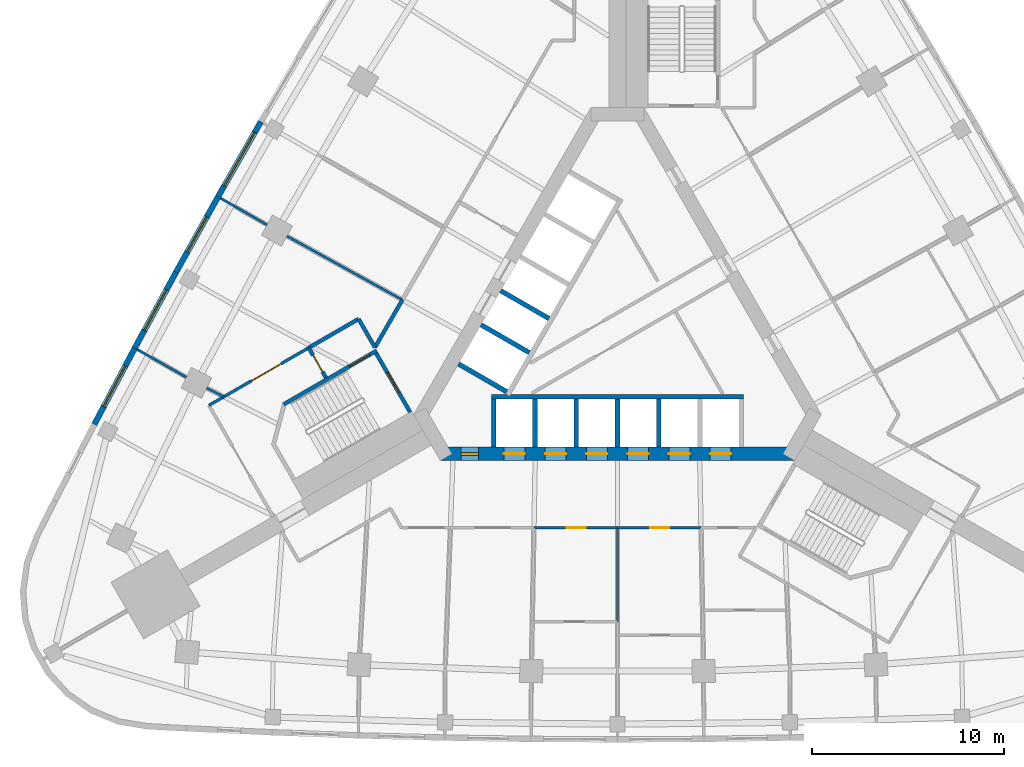
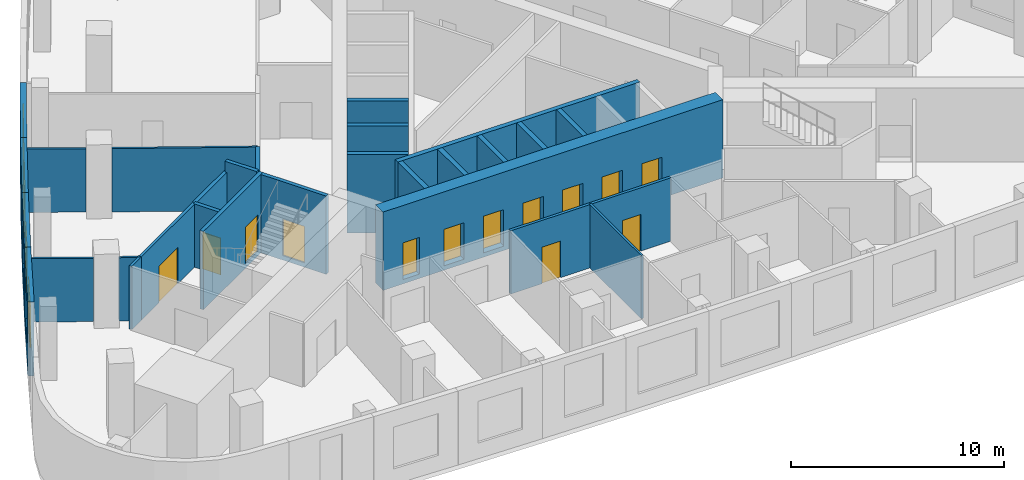
# One storey, part 5 of 11: 29 walls, 13 doors, 4 windows, 17 openings.
"""IFC4 building model written with IfcOpenShell, lengths in metres."""

from ifc_helpers import new_model, si_unit, direction, frame, frame_2d, origin, place, context, subcontext, project, spatial, rectangle, extrude, material, layer, layer_set, type_object, element, fill, save


model = new_model("IFC4")

# Units and contexts
model_context = context("Model", 3, precision=1e-05, world=origin(), true_north=direction((0.0, 1.0)))
body_context = subcontext(model_context, "Body", "Model", "MODEL_VIEW")
ifc_project = project(units=[si_unit("LENGTHUNIT", "METRE"), si_unit("AREAUNIT", "SQUARE_METRE"), si_unit("VOLUMEUNIT", "CUBIC_METRE"), si_unit("PLANEANGLEUNIT", "RADIAN"), si_unit("MASSUNIT", "GRAM", prefix="KILO")], contexts=[model_context])

# Site, building, storey
site_placement = place(None, origin())
site = spatial("IfcSite", under=ifc_project, at=site_placement, CompositionType="ELEMENT")
building_placement = place(site_placement, origin())
building = spatial("IfcBuilding", under=site, at=building_placement, Name="Noor Cloister Tower", CompositionType="ELEMENT")
storey_placement = place(building_placement, frame((0.0, 0.0, 15.0)))
storey = spatial("IfcBuildingStorey", under=building, at=storey_placement, Name="L03", CompositionType="ELEMENT", Elevation=15.0)

# Wall, openings, doors
ifc_material_1 = material(Name="Concrete C80/95", Category="concrete")
ifc_layer_1 = layer(ifc_material_1, 0.699951171875)
ifc_layer_set_1 = layer_set([ifc_layer_1], Name="Core wall 700 C80/95")
wall_type_1 = type_object("IfcWallType", Name="Core wall 700 C80/95", PredefinedType="SHEAR", material=ifc_layer_set_1)
wall_1_placement = place(storey_placement, frame((-9.228759765625, -6.578125, -0.25), z_axis=(0.0, 0.0, 1.0), x_axis=(1.0, 0.0, 0.0)))
wall_1 = element("IfcWall", 1, at=wall_1_placement, inside=storey, type_object=wall_type_1, Name="Core wall L03 1", PredefinedType="SHEAR", context=body_context, shape_type="SweptSolid", body=[
    extrude(rectangle(XDim=18.45751953125, YDim=0.699951171875, at=frame_2d((9.228759765625, 0.0))), origin(), (0.0, 0.0, 1.0), 4.5),
])
opening_1_placement = place(wall_1_placement, frame((3.3037109375, 0.0, 0.25)))
opening_1 = element("IfcOpeningElement", 2, at=opening_1_placement, cuts=wall_1, Name="Opening L03-LR1", PredefinedType="OPENING", context=body_context, shape_type="SweptSolid", body=[
    extrude(rectangle(XDim=1.10009765625, YDim=2.10009765625, at=frame_2d((0.550048828125, 1.050048828125))), frame((0.0, 0.35986328125, 0.0), z_axis=(0.0, -1.0, 0.0), x_axis=(1.0, 0.0, 0.0)), (0.0, 0.0, 1.0), 0.719970703125),
])
opening_2_placement = place(wall_1_placement, frame((5.45361328125, 0.0, 0.25)))
opening_2 = element("IfcOpeningElement", 3, at=opening_2_placement, cuts=wall_1, Name="Opening L03-LR2", PredefinedType="OPENING", context=body_context, shape_type="SweptSolid", body=[
    extrude(rectangle(XDim=1.10009765625, YDim=2.10009765625, at=frame_2d((0.550048828125, 1.050048828125))), frame((0.0, 0.35986328125, 0.0), z_axis=(0.0, -1.0, 0.0), x_axis=(1.0, 0.0, 0.0)), (0.0, 0.0, 1.0), 0.719970703125),
])
opening_3_placement = place(wall_1_placement, frame((7.603759765625, 0.0, 0.25)))
opening_3 = element("IfcOpeningElement", 4, at=opening_3_placement, cuts=wall_1, Name="Opening L03-LR3", PredefinedType="OPENING", context=body_context, shape_type="SweptSolid", body=[
    extrude(rectangle(XDim=1.10009765625, YDim=2.10009765625, at=frame_2d((0.550048828125, 1.050048828125))), frame((0.0, 0.35986328125, 0.0), z_axis=(0.0, -1.0, 0.0), x_axis=(1.0, 0.0, 0.0)), (0.0, 0.0, 1.0), 0.719970703125),
])
opening_4_placement = place(wall_1_placement, frame((9.753662109375, 0.0, 0.25)))
opening_4 = element("IfcOpeningElement", 5, at=opening_4_placement, cuts=wall_1, Name="Opening L03-LR4", PredefinedType="OPENING", context=body_context, shape_type="SweptSolid", body=[
    extrude(rectangle(XDim=1.10009765625, YDim=2.10009765625, at=frame_2d((0.550048828125, 1.050048828125))), frame((0.0, 0.35986328125, 0.0), z_axis=(0.0, -1.0, 0.0), x_axis=(1.0, 0.0, 0.0)), (0.0, 0.0, 1.0), 0.719970703125),
])
opening_5_placement = place(wall_1_placement, frame((11.90380859375, 0.0, 0.25)))
opening_5 = element("IfcOpeningElement", 6, at=opening_5_placement, cuts=wall_1, Name="Opening L03-LR5", PredefinedType="OPENING", context=body_context, shape_type="SweptSolid", body=[
    extrude(rectangle(XDim=1.10009765625, YDim=2.10009765625, at=frame_2d((0.550048828125, 1.050048828125))), frame((0.0, 0.35986328125, 0.0), z_axis=(0.0, -1.0, 0.0), x_axis=(1.0, 0.0, 0.0)), (0.0, 0.0, 1.0), 0.719970703125),
])
opening_6_placement = place(wall_1_placement, frame((14.0537109375, 0.0, 0.25)))
opening_6 = element("IfcOpeningElement", 7, at=opening_6_placement, cuts=wall_1, Name="Opening L03-LR6", PredefinedType="OPENING", context=body_context, shape_type="SweptSolid", body=[
    extrude(rectangle(XDim=1.10009765625, YDim=2.10009765625, at=frame_2d((0.550048828125, 1.050048828125))), frame((0.0, 0.35986328125, 0.0), z_axis=(0.0, -1.0, 0.0), x_axis=(1.0, 0.0, 0.0)), (0.0, 0.0, 1.0), 0.719970703125),
])
opening_7_placement = place(wall_1_placement, frame((1.078857421875, 0.0, 0.25)))
opening_7 = element("IfcOpeningElement", 8, at=opening_7_placement, cuts=wall_1, Name="Opening L03-905", PredefinedType="OPENING", context=body_context, shape_type="SweptSolid", body=[
    extrude(rectangle(XDim=0.89990234375, YDim=2.10009765625, at=frame_2d((0.449951171875, 1.050048828125))), frame((0.0, 0.35986328125, 0.0), z_axis=(0.0, -1.0, 0.0), x_axis=(1.0, 0.0, 0.0)), (0.0, 0.0, 1.0), 0.719970703125),
])
ifc_material_2 = material(Name="Steel", Category="steel")
door_type_1 = type_object("IfcDoorType", Name="Core door 900 x 2100 FD120", OperationType="SINGLE_SWING_LEFT", PredefinedType="DOOR", material=ifc_material_2)
door_1_placement = place(opening_7_placement, origin())
door_1 = element("IfcDoor", 9, at=door_1_placement, inside=storey, type_object=door_type_1, Name="Core door 5 L03", OperationType="SINGLE_SWING_LEFT", OverallHeight=2.10009765625, OverallWidth=0.89990234375, PredefinedType="DOOR", context=body_context, shape_type="SweptSolid", body=[
    extrude(rectangle(XDim=0.89990234375, YDim=2.10009765625, at=frame_2d((0.449951171875, 1.050048828125))), frame((0.0, 0.074951171875, 0.0), z_axis=(0.0, -1.0, 0.0), x_axis=(1.0, 0.0, 0.0)), (0.0, 0.0, 1.0), 0.14990234375),
])
fill(opening_7, door_1)
ifc_material_3 = material(Name="Stainless steel", Category="steel")
door_type_2 = type_object("IfcDoorType", Name="Lift landing door 1100 x 2100", OperationType="DOUBLE_DOOR_SLIDING", PredefinedType="DOOR", material=ifc_material_3)
door_2_placement = place(opening_1_placement, origin())
door_2 = element("IfcDoor", 10, at=door_2_placement, inside=storey, type_object=door_type_2, Name="Landing door LR1 L03", OperationType="DOUBLE_DOOR_SLIDING", OverallHeight=2.10009765625, OverallWidth=1.10009765625, PredefinedType="DOOR", context=body_context, shape_type="SweptSolid", body=[
    extrude(rectangle(XDim=1.10009765625, YDim=2.10009765625, at=frame_2d((0.550048828125, 1.050048828125))), frame((0.0, 0.02490234375, 0.0), z_axis=(0.0, -1.0, 0.0), x_axis=(1.0, 0.0, 0.0)), (0.0, 0.0, 1.0), 0.050048828125),
])
fill(opening_1, door_2)
door_3_placement = place(opening_2_placement, origin())
door_3 = element("IfcDoor", 11, at=door_3_placement, inside=storey, type_object=door_type_2, Name="Landing door LR2 L03", OperationType="DOUBLE_DOOR_SLIDING", OverallHeight=2.10009765625, OverallWidth=1.10009765625, PredefinedType="DOOR", context=body_context, shape_type="SweptSolid", body=[
    extrude(rectangle(XDim=1.10009765625, YDim=2.10009765625, at=frame_2d((0.550048828125, 1.050048828125))), frame((0.0, 0.02490234375, 0.0), z_axis=(0.0, -1.0, 0.0), x_axis=(1.0, 0.0, 0.0)), (0.0, 0.0, 1.0), 0.050048828125),
])
fill(opening_2, door_3)
door_4_placement = place(opening_3_placement, origin())
door_4 = element("IfcDoor", 12, at=door_4_placement, inside=storey, type_object=door_type_2, Name="Landing door LR3 L03", OperationType="DOUBLE_DOOR_SLIDING", OverallHeight=2.10009765625, OverallWidth=1.10009765625, PredefinedType="DOOR", context=body_context, shape_type="SweptSolid", body=[
    extrude(rectangle(XDim=1.10009765625, YDim=2.10009765625, at=frame_2d((0.550048828125, 1.050048828125))), frame((0.0, 0.02490234375, 0.0), z_axis=(0.0, -1.0, 0.0), x_axis=(1.0, 0.0, 0.0)), (0.0, 0.0, 1.0), 0.050048828125),
])
fill(opening_3, door_4)
door_5_placement = place(opening_4_placement, origin())
door_5 = element("IfcDoor", 13, at=door_5_placement, inside=storey, type_object=door_type_2, Name="Landing door LR4 L03", OperationType="DOUBLE_DOOR_SLIDING", OverallHeight=2.10009765625, OverallWidth=1.10009765625, PredefinedType="DOOR", context=body_context, shape_type="SweptSolid", body=[
    extrude(rectangle(XDim=1.10009765625, YDim=2.10009765625, at=frame_2d((0.550048828125, 1.050048828125))), frame((0.0, 0.02490234375, 0.0), z_axis=(0.0, -1.0, 0.0), x_axis=(1.0, 0.0, 0.0)), (0.0, 0.0, 1.0), 0.050048828125),
])
fill(opening_4, door_5)
door_6_placement = place(opening_5_placement, origin())
door_6 = element("IfcDoor", 14, at=door_6_placement, inside=storey, type_object=door_type_2, Name="Landing door LR5 L03", OperationType="DOUBLE_DOOR_SLIDING", OverallHeight=2.10009765625, OverallWidth=1.10009765625, PredefinedType="DOOR", context=body_context, shape_type="SweptSolid", body=[
    extrude(rectangle(XDim=1.10009765625, YDim=2.10009765625, at=frame_2d((0.550048828125, 1.050048828125))), frame((0.0, 0.02490234375, 0.0), z_axis=(0.0, -1.0, 0.0), x_axis=(1.0, 0.0, 0.0)), (0.0, 0.0, 1.0), 0.050048828125),
])
fill(opening_5, door_6)
door_7_placement = place(opening_6_placement, origin())
door_7 = element("IfcDoor", 15, at=door_7_placement, inside=storey, type_object=door_type_2, Name="Landing door LR6 L03", OperationType="DOUBLE_DOOR_SLIDING", OverallHeight=2.10009765625, OverallWidth=1.10009765625, PredefinedType="DOOR", context=body_context, shape_type="SweptSolid", body=[
    extrude(rectangle(XDim=1.10009765625, YDim=2.10009765625, at=frame_2d((0.550048828125, 1.050048828125))), frame((0.0, 0.02490234375, 0.0), z_axis=(0.0, -1.0, 0.0), x_axis=(1.0, 0.0, 0.0)), (0.0, 0.0, 1.0), 0.050048828125),
])
fill(opening_6, door_7)

# Wall, opening, door
ifc_material_4 = material(Name="Plasterboard on steel studs", Category="steel")
ifc_layer_2 = layer(ifc_material_4, 0.14990234375)
ifc_layer_set_2 = layer_set([ifc_layer_2], Name="Corridor wall 150")
wall_type_2 = type_object("IfcWallType", Name="Corridor wall 150", PredefinedType="PARTITIONING", material=ifc_layer_set_2)
wall_2_placement = place(storey_placement, frame((4.35498046875, -10.427978515625, 0.0), z_axis=(0.0, 0.0, 1.0), x_axis=(-1.0, 0.0, 0.0)))
wall_2 = element("IfcWall", 16, at=wall_2_placement, inside=storey, type_object=wall_type_2, Name="Partition", PredefinedType="PARTITIONING", context=body_context, shape_type="SweptSolid", body=[
    extrude(rectangle(XDim=4.35888671875, YDim=0.14990234375, at=frame_2d((2.179443359375, 0.0))), origin(), (0.0, 0.0, 1.0), 3.637939453125),
])
opening_8_placement = place(wall_2_placement, frame((1.64990234375, 0.0, 0.0)))
opening_8 = element("IfcOpeningElement", 17, at=opening_8_placement, cuts=wall_2, Name="Opening L03-009", PredefinedType="OPENING", context=body_context, shape_type="SweptSolid", body=[
    extrude(rectangle(XDim=1.0, YDim=2.10009765625, at=frame_2d((0.5, 1.050048828125))), frame((0.0, 0.0849609375, 0.0), z_axis=(0.0, -1.0, 0.0), x_axis=(1.0, 0.0, 0.0)), (0.0, 0.0, 1.0), 0.169921875),
])
ifc_material_5 = material(Name="Timber door leaf", Category="wood")
door_type_3 = type_object("IfcDoorType", Name="Clinic room door 1000", OperationType="SINGLE_SWING_LEFT", PredefinedType="DOOR", material=ifc_material_5)
door_8_placement = place(opening_8_placement, origin())
door_8 = element("IfcDoor", 18, at=door_8_placement, inside=storey, type_object=door_type_3, Name="Door L03-009", OperationType="SINGLE_SWING_LEFT", OverallHeight=2.10009765625, OverallWidth=1.0, PredefinedType="DOOR", context=body_context, shape_type="SweptSolid", body=[
    extrude(rectangle(XDim=1.0, YDim=2.10009765625, at=frame_2d((0.5, 1.050048828125))), frame((0.0, 0.02490234375, 0.0), z_axis=(0.0, -1.0, 0.0), x_axis=(1.0, 0.0, 0.0)), (0.0, 0.0, 1.0), 0.050048828125),
])
fill(opening_8, door_8)

wall_3_placement = place(storey_placement, frame((0.00390625, -10.427978515625, 0.0), z_axis=(0.0, 0.0, 1.0), x_axis=(-1.0, 0.0, 0.0)))
wall_3 = element("IfcWall", 19, at=wall_3_placement, inside=storey, type_object=wall_type_2, Name="Partition", PredefinedType="PARTITIONING", context=body_context, shape_type="SweptSolid", body=[
    extrude(rectangle(XDim=4.35888671875, YDim=0.14990234375, at=frame_2d((2.179443359375, 0.0))), origin(), (0.0, 0.0, 1.0), 3.637939453125),
])
opening_9_placement = place(wall_3_placement, frame((1.64990234375, 0.0, 0.0)))
opening_9 = element("IfcOpeningElement", 20, at=opening_9_placement, cuts=wall_3, Name="Opening L03-010", PredefinedType="OPENING", context=body_context, shape_type="SweptSolid", body=[
    extrude(rectangle(XDim=1.0, YDim=2.10009765625, at=frame_2d((0.5, 1.050048828125))), frame((0.0, 0.0849609375, 0.0), z_axis=(0.0, -1.0, 0.0), x_axis=(1.0, 0.0, 0.0)), (0.0, 0.0, 1.0), 0.169921875),
])
door_9_placement = place(opening_9_placement, origin())
door_9 = element("IfcDoor", 21, at=door_9_placement, inside=storey, type_object=door_type_3, Name="Door L03-010", OperationType="SINGLE_SWING_LEFT", OverallHeight=2.10009765625, OverallWidth=1.0, PredefinedType="DOOR", context=body_context, shape_type="SweptSolid", body=[
    extrude(rectangle(XDim=1.0, YDim=2.10009765625, at=frame_2d((0.5, 1.050048828125))), frame((0.0, 0.02490234375, 0.0), z_axis=(0.0, -1.0, 0.0), x_axis=(1.0, 0.0, 0.0)), (0.0, 0.0, 1.0), 0.050048828125),
])
fill(opening_9, door_9)

# Wall
wall_4_placement = place(storey_placement, frame((-21.282958984375, -4.048095703125, 0.0), z_axis=(0.0, 0.0, 1.0), x_axis=(0.865804825377, 0.500381858538, 0.0)))
element("IfcWall", 22, at=wall_4_placement, inside=storey, type_object=wall_type_2, Name="Partition", PredefinedType="PARTITIONING", context=body_context, shape_type="SweptSolid", body=[
    extrude(rectangle(XDim=0.897216796875, YDim=0.14990234375, at=frame_2d((0.44873046875, 0.0))), origin(), (0.0, 0.0, 1.0), 3.637939453125),
])

# Wall, opening, door
wall_5_placement = place(storey_placement, frame((-16.087890625, -1.049072265625, 0.0), z_axis=(0.0, 0.0, 1.0), x_axis=(-0.866023883975, -0.500002632377, 0.0)))
wall_5 = element("IfcWall", 23, at=wall_5_placement, inside=storey, type_object=wall_type_2, Name="Partition", PredefinedType="PARTITIONING", context=body_context, shape_type="SweptSolid", body=[
    extrude(rectangle(XDim=5.10400390625, YDim=0.14990234375, at=frame_2d((2.552001953125, 0.0))), origin(), (0.0, 0.0, 1.0), 3.637939453125),
])
opening_10_placement = place(wall_5_placement, frame((1.64990234375, 0.0, 0.0)))
opening_10 = element("IfcOpeningElement", 24, at=opening_10_placement, cuts=wall_5, Name="Opening L03-017", PredefinedType="OPENING", context=body_context, shape_type="SweptSolid", body=[
    extrude(rectangle(XDim=1.800048828125, YDim=2.10009765625, at=frame_2d((0.89990234375, 1.050048828125))), frame((0.0, 0.0849609375, 0.0), z_axis=(0.0, -1.0, 0.0), x_axis=(1.0, 0.0, 0.0)), (0.0, 0.0, 1.0), 0.169921875),
])
ifc_material_6 = material(Name="Timber door leaf", Category="wood")
door_type_4 = type_object("IfcDoorType", Name="Double leaf door 1800", OperationType="DOUBLE_DOOR_SINGLE_SWING", PredefinedType="DOOR", material=ifc_material_6)
door_10_placement = place(opening_10_placement, origin())
door_10 = element("IfcDoor", 25, at=door_10_placement, inside=storey, type_object=door_type_4, Name="Door L03-017", OperationType="DOUBLE_DOOR_SINGLE_SWING", OverallHeight=2.10009765625, OverallWidth=1.800048828125, PredefinedType="DOOR", context=body_context, shape_type="SweptSolid", body=[
    extrude(rectangle(XDim=1.800048828125, YDim=2.10009765625, at=frame_2d((0.89990234375, 1.050048828125))), frame((0.0, 0.02490234375, 0.0), z_axis=(0.0, -1.0, 0.0), x_axis=(1.0, 0.0, 0.0)), (0.0, 0.0, 1.0), 0.050048828125),
])
fill(opening_10, door_10)

ifc_material_7 = material(Name="Reinforced blockwork", Category="masonry")
ifc_layer_3 = layer(ifc_material_7, 0.199951171875)
ifc_layer_set_3 = layer_set([ifc_layer_3], Name="Fire rated block wall 200")
wall_type_3 = type_object("IfcWallType", Name="Fire rated block wall 200", PredefinedType="PARTITIONING", material=ifc_layer_set_3)
wall_6_placement = place(storey_placement, frame((-15.18798828125, -2.60693359375, 0.0), z_axis=(0.0, 0.0, 1.0), x_axis=(-0.500024172624, 0.866011447264, 0.0)))
wall_6 = element("IfcWall", 26, at=wall_6_placement, inside=storey, type_object=wall_type_3, Name="Fire rated wall", PredefinedType="PARTITIONING", context=body_context, shape_type="SweptSolid", body=[
    extrude(rectangle(XDim=1.7978515625, YDim=0.199951171875, at=frame_2d((0.89892578125, 0.0))), origin(), (0.0, 0.0, 1.0), 3.637939453125),
])
opening_11_placement = place(wall_6_placement, frame((0.35009765625, 0.0, 0.0)))
opening_11 = element("IfcOpeningElement", 27, at=opening_11_placement, cuts=wall_6, Name="Opening L03-026", PredefinedType="OPENING", context=body_context, shape_type="SweptSolid", body=[
    extrude(rectangle(XDim=1.0, YDim=2.10009765625, at=frame_2d((0.5, 1.050048828125))), frame((0.0, 0.10986328125, 0.0), z_axis=(0.0, -1.0, 0.0), x_axis=(1.0, 0.0, 0.0)), (0.0, 0.0, 1.0), 0.219970703125),
])
ifc_material_8 = material(Name="Steel fire door", Category="steel")
door_type_5 = type_object("IfcDoorType", Name="Fire door FD60 1000", OperationType="SINGLE_SWING_LEFT", PredefinedType="DOOR", material=ifc_material_8)
door_11_placement = place(opening_11_placement, origin())
door_11 = element("IfcDoor", 28, at=door_11_placement, inside=storey, type_object=door_type_5, Name="Door L03-026", OperationType="SINGLE_SWING_LEFT", OverallHeight=2.10009765625, OverallWidth=1.0, PredefinedType="DOOR", context=body_context, shape_type="SweptSolid", body=[
    extrude(rectangle(XDim=1.0, YDim=2.10009765625, at=frame_2d((0.5, 1.050048828125))), frame((0.0, 0.02490234375, 0.0), z_axis=(0.0, -1.0, 0.0), x_axis=(1.0, 0.0, 0.0)), (0.0, 0.0, 1.0), 0.050048828125),
])
fill(opening_11, door_11)

# Walls
wall_7_placement = place(storey_placement, frame((-16.0869140625, -1.048095703125, 0.0), z_axis=(0.0, 0.0, 1.0), x_axis=(0.865988915629, 0.500063194015, 0.0)))
element("IfcWall", 29, at=wall_7_placement, inside=storey, type_object=wall_type_3, Name="Fire rated wall", PredefinedType="PARTITIONING", context=body_context, shape_type="SweptSolid", body=[
    extrude(rectangle(XDim=2.99755859375, YDim=0.199951171875, at=frame_2d((1.498779296875, 0.0))), origin(), (0.0, 0.0, 1.0), 3.637939453125),
])
wall_8_placement = place(storey_placement, frame((-13.489013671875, 0.450927734375, 0.0), z_axis=(0.0, 0.0, 1.0), x_axis=(0.500044178772, -0.865999895656, 0.0)))
element("IfcWall", 30, at=wall_8_placement, inside=storey, type_object=wall_type_3, Name="Fire rated wall", PredefinedType="PARTITIONING", context=body_context, shape_type="SweptSolid", body=[
    extrude(rectangle(XDim=1.707763671875, YDim=0.199951171875, at=frame_2d((0.85400390625, 0.0))), origin(), (0.0, 0.0, 1.0), 4.25),
])
wall_9_placement = place(storey_placement, frame((-12.635009765625, -1.028076171875, 0.0), z_axis=(0.0, 0.0, 1.0), x_axis=(0.499801250411, 0.866140121509, 0.0)))
element("IfcWall", 31, at=wall_9_placement, inside=storey, type_object=wall_type_3, Name="Fire rated wall", PredefinedType="PARTITIONING", context=body_context, shape_type="SweptSolid", body=[
    extrude(rectangle(XDim=2.861083984375, YDim=0.199951171875, at=frame_2d((1.4306640625, 0.0))), origin(), (0.0, 0.0, 1.0), 3.637939453125),
])

# Wall, opening, window
ifc_material_9 = material(Name="Limestone", Category="masonry")
ifc_layer_4 = layer(ifc_material_9, 0.300048828125)
ifc_layer_set_4 = layer_set([ifc_layer_4], Name="Limestone panel wall 300")
wall_type_4 = type_object("IfcWallType", Name="Limestone panel wall 300", PredefinedType="NOTDEFINED", material=ifc_layer_set_4)
wall_10_placement = place(storey_placement, frame((-20.81103515625, 6.822509765625, 0.0), z_axis=(0.0, 0.0, 1.0), x_axis=(0.495524760411, 0.868593812907, 0.0)))
wall_10 = element("IfcWall", 32, at=wall_10_placement, inside=storey, type_object=wall_type_4, Name="Limestone wall L03 NW 6", PredefinedType="NOTDEFINED", context=body_context, shape_type="SweptSolid", body=[
    extrude(rectangle(XDim=4.495849609375, YDim=0.300048828125, at=frame_2d((2.248046875, 0.0))), origin(), (0.0, 0.0, 1.0), 4.25),
])
opening_12_placement = place(wall_10_placement, frame((0.64794921875, 0.0, 0.800048828125)))
opening_12 = element("IfcOpeningElement", 33, at=opening_12_placement, cuts=wall_10, Name="Opening L03-W06", PredefinedType="OPENING", context=body_context, shape_type="SweptSolid", body=[
    extrude(rectangle(XDim=3.199951171875, YDim=2.699951171875, at=frame_2d((1.60009765625, 1.35009765625))), frame((0.0, 0.16015625, 0.0), z_axis=(0.0, -1.0, 0.0), x_axis=(1.0, 0.0, 0.0)), (0.0, 0.0, 1.0), 0.320068359375),
])
ifc_material_10 = material(Name="Aluminium 6063-T6 anodised", Category="aluminium")
window_type_1 = type_object("IfcWindowType", Name="Waiting room window 3200 x 2700", PartitioningType="TRIPLE_PANEL_VERTICAL", PredefinedType="WINDOW", material=ifc_material_10)
window_1_placement = place(opening_12_placement, origin())
window_1 = element("IfcWindow", 34, at=window_1_placement, inside=storey, type_object=window_type_1, Name="Window L03 6", OverallHeight=2.699951171875, OverallWidth=3.199951171875, PartitioningType="TRIPLE_PANEL_VERTICAL", PredefinedType="WINDOW", context=body_context, shape_type="SweptSolid", body=[
    extrude(rectangle(XDim=3.199951171875, YDim=2.699951171875, at=frame_2d((1.60009765625, 1.35009765625))), frame((0.0, 0.030029296875, 0.0), z_axis=(0.0, -1.0, 0.0), x_axis=(1.0, 0.0, 0.0)), (0.0, 0.0, 1.0), 0.06005859375),
])
fill(opening_12, window_1)

wall_11_placement = place(storey_placement, frame((-23.0, 2.892578125, 0.0), z_axis=(0.0, 0.0, 1.0), x_axis=(0.486606252415, 0.873621402617, 0.0)))
wall_11 = element("IfcWall", 35, at=wall_11_placement, inside=storey, type_object=wall_type_4, Name="Limestone wall L03 NW 7", PredefinedType="NOTDEFINED", context=body_context, shape_type="SweptSolid", body=[
    extrude(rectangle(XDim=4.495849609375, YDim=0.300048828125, at=frame_2d((2.248046875, 0.0))), origin(), (0.0, 0.0, 1.0), 4.25),
])
opening_13_placement = place(wall_11_placement, frame((1.197998046875, 0.0, 0.800048828125)))
opening_13 = element("IfcOpeningElement", 36, at=opening_13_placement, cuts=wall_11, Name="Opening L03-W07", PredefinedType="OPENING", context=body_context, shape_type="SweptSolid", body=[
    extrude(rectangle(XDim=2.10009765625, YDim=3.0, at=frame_2d((1.050048828125, 1.5))), frame((0.0, 0.16015625, 0.0), z_axis=(0.0, -1.0, 0.0), x_axis=(1.0, 0.0, 0.0)), (0.0, 0.0, 1.0), 0.320068359375),
])
ifc_material_11 = material(Name="Aluminium 6063-T6 anodised", Category="aluminium")
window_type_2 = type_object("IfcWindowType", Name="Therapy window 2100 x 3000", PartitioningType="DOUBLE_PANEL_HORIZONTAL", PredefinedType="WINDOW", material=ifc_material_11)
window_2_placement = place(opening_13_placement, origin())
window_2 = element("IfcWindow", 37, at=window_2_placement, inside=storey, type_object=window_type_2, Name="Window L03 7", OverallHeight=3.0, OverallWidth=2.10009765625, PartitioningType="DOUBLE_PANEL_HORIZONTAL", PredefinedType="WINDOW", context=body_context, shape_type="SweptSolid", body=[
    extrude(rectangle(XDim=2.10009765625, YDim=3.0, at=frame_2d((1.050048828125, 1.5))), frame((0.0, 0.030029296875, 0.0), z_axis=(0.0, -1.0, 0.0), x_axis=(1.0, 0.0, 0.0)), (0.0, 0.0, 1.0), 0.06005859375),
])
fill(opening_13, window_2)

wall_12_placement = place(storey_placement, frame((-25.1484375, -1.059814453125, 0.0), z_axis=(0.0, 0.0, 1.0), x_axis=(0.477577109439, 0.878589838628, 0.0)))
wall_12 = element("IfcWall", 38, at=wall_12_placement, inside=storey, type_object=wall_type_4, Name="Limestone wall L03 NW 8", PredefinedType="NOTDEFINED", context=body_context, shape_type="SweptSolid", body=[
    extrude(rectangle(XDim=4.49609375, YDim=0.300048828125, at=frame_2d((2.248046875, 0.0))), origin(), (0.0, 0.0, 1.0), 4.25),
])
opening_14_placement = place(wall_12_placement, frame((1.048095703125, 0.0, 0.89990234375)))
opening_14 = element("IfcOpeningElement", 39, at=opening_14_placement, cuts=wall_12, Name="Opening L03-W08", PredefinedType="OPENING", context=body_context, shape_type="SweptSolid", body=[
    extrude(rectangle(XDim=2.39990234375, YDim=2.39990234375, at=frame_2d((1.199951171875, 1.199951171875))), frame((0.0, 0.16015625, 0.0), z_axis=(0.0, -1.0, 0.0), x_axis=(1.0, 0.0, 0.0)), (0.0, 0.0, 1.0), 0.320068359375),
])
ifc_material_12 = material(Name="Aluminium 6063-T6 anodised", Category="aluminium")
window_type_3 = type_object("IfcWindowType", Name="Clinic window 2400 x 2400", PartitioningType="DOUBLE_PANEL_VERTICAL", PredefinedType="WINDOW", material=ifc_material_12)
window_3_placement = place(opening_14_placement, origin())
window_3 = element("IfcWindow", 40, at=window_3_placement, inside=storey, type_object=window_type_3, Name="Window L03 8", OverallHeight=2.39990234375, OverallWidth=2.39990234375, PartitioningType="DOUBLE_PANEL_VERTICAL", PredefinedType="WINDOW", context=body_context, shape_type="SweptSolid", body=[
    extrude(rectangle(XDim=2.39990234375, YDim=2.39990234375, at=frame_2d((1.199951171875, 1.199951171875))), frame((0.0, 0.030029296875, 0.0), z_axis=(0.0, -1.0, 0.0), x_axis=(1.0, 0.0, 0.0)), (0.0, 0.0, 1.0), 0.06005859375),
])
fill(opening_14, window_3)

wall_13_placement = place(storey_placement, frame((-27.25634765625, -5.03369140625, 0.0), z_axis=(0.0, 0.0, 1.0), x_axis=(0.468566202388, 0.883428386447, 0.0)))
wall_13 = element("IfcWall", 41, at=wall_13_placement, inside=storey, type_object=wall_type_4, Name="Limestone wall L03 NW 9", PredefinedType="NOTDEFINED", context=body_context, shape_type="SweptSolid", body=[
    extrude(rectangle(XDim=4.49609375, YDim=0.300048828125, at=frame_2d((2.248046875, 0.0))), origin(), (0.0, 0.0, 1.0), 4.25),
])
opening_15_placement = place(wall_13_placement, frame((1.048095703125, 0.0, 0.89990234375)))
opening_15 = element("IfcOpeningElement", 42, at=opening_15_placement, cuts=wall_13, Name="Opening L03-W09", PredefinedType="OPENING", context=body_context, shape_type="SweptSolid", body=[
    extrude(rectangle(XDim=2.39990234375, YDim=2.39990234375, at=frame_2d((1.199951171875, 1.199951171875))), frame((0.0, 0.16015625, 0.0), z_axis=(0.0, -1.0, 0.0), x_axis=(1.0, 0.0, 0.0)), (0.0, 0.0, 1.0), 0.320068359375),
])
window_4_placement = place(opening_15_placement, origin())
window_4 = element("IfcWindow", 43, at=window_4_placement, inside=storey, type_object=window_type_3, Name="Window L03 9", OverallHeight=2.39990234375, OverallWidth=2.39990234375, PartitioningType="DOUBLE_PANEL_VERTICAL", PredefinedType="WINDOW", context=body_context, shape_type="SweptSolid", body=[
    extrude(rectangle(XDim=2.39990234375, YDim=2.39990234375, at=frame_2d((1.199951171875, 1.199951171875))), frame((0.0, 0.030029296875, 0.0), z_axis=(0.0, -1.0, 0.0), x_axis=(1.0, 0.0, 0.0)), (0.0, 0.0, 1.0), 0.06005859375),
])
fill(opening_15, window_4)

# Walls
ifc_material_13 = material(Name="Plasterboard on steel studs", Category="steel")
ifc_layer_5 = layer(ifc_material_13, 0.1201171875)
ifc_layer_set_5 = layer_set([ifc_layer_5], Name="Partition wall 120")
wall_type_5 = type_object("IfcWallType", Name="Partition wall 120", PredefinedType="PARTITIONING", material=ifc_layer_set_5)
wall_14_placement = place(storey_placement, frame((0.0, -10.427978515625, 0.0), z_axis=(0.0, 0.0, 1.0), x_axis=(0.0, -1.0, 0.0)))
element("IfcWall", 44, at=wall_14_placement, inside=storey, type_object=wall_type_5, Name="Partition", PredefinedType="PARTITIONING", context=body_context, shape_type="SweptSolid", body=[
    extrude(rectangle(XDim=4.89990234375, YDim=0.1201171875, at=frame_2d((2.449951171875, 0.0))), origin(), (0.0, 0.0, 1.0), 3.637939453125),
])
wall_15_placement = place(storey_placement, frame((-22.4609375, -2.583984375, 0.0), z_axis=(0.0, 0.0, 1.0), x_axis=(-0.870620069476, 0.491955988505, 0.0)))
element("IfcWall", 45, at=wall_15_placement, inside=storey, type_object=wall_type_5, Name="Partition", PredefinedType="PARTITIONING", context=body_context, shape_type="SweptSolid", body=[
    extrude(rectangle(XDim=2.939453125, YDim=0.1201171875, at=frame_2d((1.4697265625, 0.0))), origin(), (0.0, 0.0, 1.0), 3.633056640625),
])
wall_16_placement = place(storey_placement, frame((-20.509033203125, -3.60107421875, 0.0), z_axis=(0.0, 0.0, 1.0), x_axis=(-0.892316605155, 0.451410097544, 0.0)))
element("IfcWall", 46, at=wall_16_placement, inside=storey, type_object=wall_type_5, Name="Partition", PredefinedType="PARTITIONING", context=body_context, shape_type="SweptSolid", body=[
    extrude(rectangle(XDim=0.99951171875, YDim=0.1201171875, at=frame_2d((0.499755859375, 0.0))), origin(), (0.0, 0.0, 1.0), 3.637939453125),
])
wall_17_placement = place(storey_placement, frame((-18.260009765625, 5.35595703125, 0.0), z_axis=(0.0, 0.0, 1.0), x_axis=(-0.867283853893, 0.49781393791, 0.0)))
element("IfcWall", 47, at=wall_17_placement, inside=storey, type_object=wall_type_5, Name="Partition", PredefinedType="PARTITIONING", context=body_context, shape_type="SweptSolid", body=[
    extrude(rectangle(XDim=2.79248046875, YDim=0.1201171875, at=frame_2d((1.396240234375, 0.0))), origin(), (0.0, 0.0, 1.0), 3.633056640625),
])
wall_18_placement = place(storey_placement, frame((-11.2080078125, 1.446044921875, 0.0), z_axis=(0.0, 0.0, 1.0), x_axis=(-0.875125393946, 0.483896212912, 0.0)))
element("IfcWall", 48, at=wall_18_placement, inside=storey, type_object=wall_type_5, Name="Partition", PredefinedType="PARTITIONING", context=body_context, shape_type="SweptSolid", body=[
    extrude(rectangle(XDim=6.863037109375, YDim=0.1201171875, at=frame_2d((3.431640625, 0.0))), origin(), (0.0, 0.0, 1.0), 3.637939453125),
])
ifc_material_14 = material(Name="Concrete C80/95", Category="concrete")
ifc_layer_6 = layer(ifc_material_14, 0.25)
ifc_layer_set_6 = layer_set([ifc_layer_6], Name="Shaft wall 250 C80/95")
wall_type_6 = type_object("IfcWallType", Name="Shaft wall 250 C80/95", PredefinedType="PARTITIONING", material=ifc_layer_set_6)
for number, where, z_axis, x_axis, name in (
    (49, (-6.449951171875, -6.228271484375, -0.25), (0.0, 0.0, 1.0), (0.0, 1.0, 0.0), "Lift shaft wall L03 S 1"),
    (50, (-4.300048828125, -6.228271484375, -0.25), (0.0, 0.0, 1.0), (0.0, 1.0, 0.0), "Lift shaft wall L03 S 2"),
    (51, (-2.14990234375, -6.228271484375, -0.25), (0.0, 0.0, 1.0), (0.0, 1.0, 0.0), "Lift shaft wall L03 S 3"),
    (52, (0.0, -6.228271484375, -0.25), (0.0, 0.0, 1.0), (0.0, 1.0, 0.0), "Lift shaft wall L03 S 4"),
    (53, (2.14990234375, -6.228271484375, -0.25), (0.0, 0.0, 1.0), (0.0, 1.0, 0.0), "Lift shaft wall L03 S 5"),
):
    element("IfcWall", number, at=place(storey_placement, frame(where, z_axis=z_axis, x_axis=x_axis)), inside=storey, type_object=wall_type_6, Name=name, PredefinedType="PARTITIONING", context=body_context, shape_type="SweptSolid", body=[
        extrude(rectangle(XDim=2.5, YDim=0.25, at=frame_2d((1.25, 0.0))), origin(), (0.0, 0.0, 1.0), 4.5),
    ])
wall_19_placement = place(storey_placement, frame((-6.574951171875, -3.603271484375, 0.0), z_axis=(0.0, 0.0, 1.0), x_axis=(1.0, 0.0, 0.0)))
element("IfcWall", 54, at=wall_19_placement, inside=storey, type_object=wall_type_6, Name="Lift shaft back wall L03 S", PredefinedType="PARTITIONING", context=body_context, shape_type="SweptSolid", body=[
    extrude(rectangle(XDim=13.14990234375, YDim=0.25, at=frame_2d((6.574951171875, 0.0))), origin(), (0.0, 0.0, 1.0), 4.25),
])
for number, where, z_axis, x_axis, name in (
    (55, (-6.081298828125, 1.92333984375, -0.25), (0.0, 0.0, 1.0), (0.866032775405, -0.499987231761, 0.0), "Lift shaft wall L03 NW 4"),
    (56, (-7.106201171875, 0.14794921875, -0.25), (0.0, 0.0, 1.0), (0.866032775405, -0.499987231761, 0.0), "Lift shaft wall L03 NW 5"),
    (57, (-8.28125, -1.88720703125, -0.25), (0.0, 0.0, 1.0), (0.866032775405, -0.499987231761, 0.0), "Lift shaft wall L03 NW 6"),
):
    element("IfcWall", number, at=place(storey_placement, frame(where, z_axis=z_axis, x_axis=x_axis)), inside=storey, type_object=wall_type_6, Name=name, PredefinedType="PARTITIONING", context=body_context, shape_type="SweptSolid", body=[
        extrude(rectangle(XDim=2.89990234375, YDim=0.25, at=frame_2d((1.449951171875, 0.0))), origin(), (0.0, 0.0, 1.0), 4.5),
    ])

# Wall, opening, door
ifc_material_15 = material(Name="Concrete C80/95", Category="concrete")
ifc_layer_7 = layer(ifc_material_15, 0.199951171875)
ifc_layer_set_7 = layer_set([ifc_layer_7], Name="Stair enclosure wall 200 C80/95")
wall_type_7 = type_object("IfcWallType", Name="Stair enclosure wall 200 C80/95", PredefinedType="SHEAR", material=ifc_layer_set_7)
wall_20_placement = place(storey_placement, frame((-12.575927734375, -1.33056640625, -0.25), z_axis=(0.0, 0.0, 1.0), x_axis=(0.499970499736, -0.8660424351, 0.0)))
wall_20 = element("IfcWall", 58, at=wall_20_placement, inside=storey, type_object=wall_type_7, Name="Stair enclosure wall ST2 L03 near end", PredefinedType="SHEAR", context=body_context, shape_type="SweptSolid", body=[
    extrude(rectangle(XDim=3.550048828125, YDim=0.199951171875, at=frame_2d((1.77490234375, 0.0))), origin(), (0.0, 0.0, 1.0), 4.5),
])
opening_16_placement = place(wall_20_placement, frame((1.175048828125, 0.0, 0.25)))
opening_16 = element("IfcOpeningElement", 59, at=opening_16_placement, cuts=wall_20, Name="Opening L03-ST2L", PredefinedType="OPENING", context=body_context, shape_type="SweptSolid", body=[
    extrude(rectangle(XDim=1.199951171875, YDim=2.10009765625, at=frame_2d((0.60009765625, 1.050048828125))), frame((0.0, 0.10986328125, 0.0), z_axis=(0.0, -1.0, 0.0), x_axis=(1.0, 0.0, 0.0)), (0.0, 0.0, 1.0), 0.219970703125),
])
ifc_material_16 = material(Name="Steel", Category="steel")
door_type_6 = type_object("IfcDoorType", Name="Stair door 1200 x 2100 FD120", OperationType="SINGLE_SWING_LEFT", PredefinedType="DOOR", material=ifc_material_16)
door_12_placement = place(opening_16_placement, origin())
door_12 = element("IfcDoor", 60, at=door_12_placement, inside=storey, type_object=door_type_6, Name="Stair door ST2 L03", OperationType="SINGLE_SWING_RIGHT", OverallHeight=2.10009765625, OverallWidth=1.199951171875, PredefinedType="DOOR", context=body_context, shape_type="SweptSolid", body=[
    extrude(rectangle(XDim=1.199951171875, YDim=2.10009765625, at=frame_2d((0.60009765625, 1.050048828125))), frame((0.0, 0.02490234375, 0.0), z_axis=(0.0, -1.0, 0.0), x_axis=(1.0, 0.0, 0.0)), (0.0, 0.0, 1.0), 0.050048828125),
])
fill(opening_16, door_12)

wall_21_placement = place(storey_placement, frame((-12.539306640625, -1.194091796875, -0.25), z_axis=(0.0, 0.0, 1.0), x_axis=(-0.866045472092, -0.499965239061, 0.0)))
wall_21 = element("IfcWall", 61, at=wall_21_placement, inside=storey, type_object=wall_type_7, Name="Stair enclosure wall ST2 L03 outer side", PredefinedType="SHEAR", context=body_context, shape_type="SweptSolid", body=[
    extrude(rectangle(XDim=5.60009765625, YDim=0.199951171875, at=frame_2d((2.800048828125, 0.0))), origin(), (0.0, 0.0, 1.0), 4.5),
])
opening_17_placement = place(wall_21_placement, frame((0.449951171875, 0.0, 0.25)))
opening_17 = element("IfcOpeningElement", 62, at=opening_17_placement, cuts=wall_21, Name="Opening L03-ST2C", PredefinedType="OPENING", context=body_context, shape_type="SweptSolid", body=[
    extrude(rectangle(XDim=1.199951171875, YDim=2.10009765625, at=frame_2d((0.60009765625, 1.050048828125))), frame((0.0, 0.10986328125, 0.0), z_axis=(0.0, -1.0, 0.0), x_axis=(1.0, 0.0, 0.0)), (0.0, 0.0, 1.0), 0.219970703125),
])
door_13_placement = place(opening_17_placement, origin())
door_13 = element("IfcDoor", 63, at=door_13_placement, inside=storey, type_object=door_type_6, Name="Stair door ST2 L03", OperationType="SINGLE_SWING_LEFT", OverallHeight=2.10009765625, OverallWidth=1.199951171875, PredefinedType="DOOR", context=body_context, shape_type="SweptSolid", body=[
    extrude(rectangle(XDim=1.199951171875, YDim=2.10009765625, at=frame_2d((0.60009765625, 1.050048828125))), frame((0.0, 0.02490234375, 0.0), z_axis=(0.0, -1.0, 0.0), x_axis=(1.0, 0.0, 0.0)), (0.0, 0.0, 1.0), 0.050048828125),
])
fill(opening_17, door_13)

save(model, "model.ifc")
